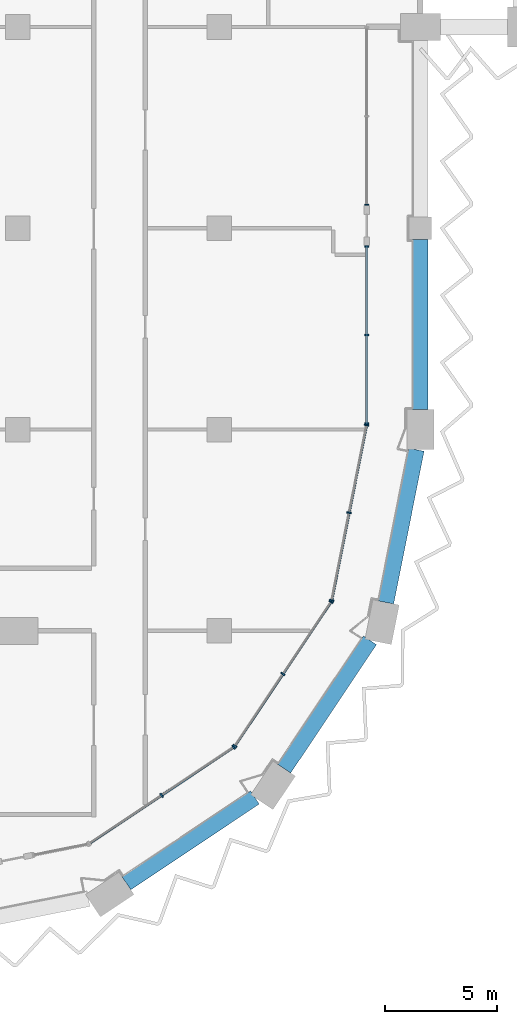
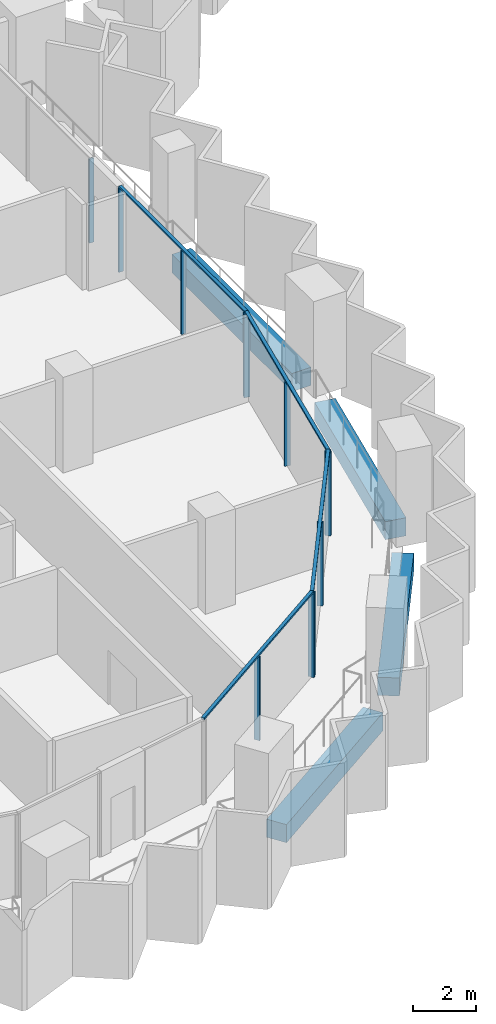
# One storey, part 3 of 17: 16 members, 4 beams, 5 elements without a shape of their own.
"""IFC4 building model written with IfcOpenShell, lengths in metres."""

import ifcopenshell
import ifcopenshell.guid

model = None  # the IFC model being written
_history = None  # IfcOwnerHistory: only IFC2X3 demands one
_inside = {}  # id of a spatial element -> (the spatial element, [elements in it])
_under = {}  # id of a project, library or spatial element -> (it, [spatial elements below it])
_declared = {}  # id of a project -> (the project, [libraries it declares])
_typed = {}  # id of a type object -> (the type object, [elements of that type])
_made_of = {}  # id of a material, layer set ... -> (it, [elements and type objects made of it])


def new_model(schema):
    """Start an empty IFC model of exactly this schema.

    Asked for "IFC4X3", IfcOpenShell would pick the latest addendum, in which some entities
    have other attributes; the version numbers below select the first issue.
    IFC2X3 requires an IfcOwnerHistory on every rooted entity: one is made here for all.
    """
    global model, _history
    if schema == "IFC4X3":
        model = ifcopenshell.file(schema_version=(4, 3, 0, 0))
    else:
        model = ifcopenshell.file(schema=schema)
    _inside.clear()
    _under.clear()
    _declared.clear()
    _typed.clear()
    _made_of.clear()
    _history = None
    if model.schema == "IFC2X3":
        org = make("IfcOrganization", Name="unknown")
        user = make(
            "IfcPersonAndOrganization",
            ThePerson=make("IfcPerson", FamilyName="unknown"),
            TheOrganization=org,
        )
        app = make(
            "IfcApplication",
            ApplicationDeveloper=org,
            Version="unknown",
            ApplicationFullName="unknown",
            ApplicationIdentifier="unknown",
        )
        _history = make(
            "IfcOwnerHistory",
            OwningUser=user,
            OwningApplication=app,
            ChangeAction="ADDED",
            CreationDate=0,
        )
    return model


def make(cls, **values):
    """One entity of the class cls with the attributes given. An attribute that is None is left unset."""
    return model.create_entity(
        cls, **{name: value for name, value in values.items() if value is not None}
    )


def rooted(cls, **values):
    """An entity with a GlobalId (a new one), such as an element, a storey or a relation."""
    return make(cls, GlobalId=ifcopenshell.guid.new(), OwnerHistory=_history, **values)


def si_unit(unit_type, name, prefix=None):
    """IfcSIUnit, for example si_unit("LENGTHUNIT", "METRE", prefix="MILLI")."""
    return make("IfcSIUnit", UnitType=unit_type, Prefix=prefix, Name=name)


def assignment(units):
    """IfcUnitAssignment: the units of a project."""
    return None if units is None else make("IfcUnitAssignment", Units=units)


def point(xyz):
    """IfcCartesianPoint."""
    return None if xyz is None else make("IfcCartesianPoint", Coordinates=xyz)


def direction(xyz):
    """IfcDirection."""
    return None if xyz is None else make("IfcDirection", DirectionRatios=xyz)


def frame(location, z_axis=None, x_axis=None):
    """IfcAxis2Placement3D, a coordinate frame: its origin and axes. An axis left out is left unset."""
    return make(
        "IfcAxis2Placement3D",
        Location=point(location),
        Axis=direction(z_axis),
        RefDirection=direction(x_axis),
    )


def frame_2d(location, x_axis=None):
    """IfcAxis2Placement2D, a coordinate frame in the plane: its origin and x axis."""
    return make(
        "IfcAxis2Placement2D", Location=point(location), RefDirection=direction(x_axis)
    )


def origin():
    """The frame at (0, 0, 0) with its axes left unset."""
    return frame((0.0, 0.0, 0.0))


def origin_2d():
    """The frame at (0, 0) in the plane with its x axis left unset."""
    return frame_2d((0.0, 0.0))


def place(relative_to, where):
    """IfcLocalPlacement: puts the frame where relative to a parent placement (None: the world)."""
    return make(
        "IfcLocalPlacement", PlacementRelTo=relative_to, RelativePlacement=where
    )


def context(
    kind, dimensions, precision=None, world=None, true_north=None, identifier=None
):
    """IfcGeometricRepresentationContext, for example the 3D "Model" context."""
    return make(
        "IfcGeometricRepresentationContext",
        ContextIdentifier=identifier,
        ContextType=kind,
        CoordinateSpaceDimension=dimensions,
        Precision=precision,
        WorldCoordinateSystem=world,
        TrueNorth=true_north,
    )


def subcontext(parent, identifier, kind, view, scale=None):
    """IfcGeometricRepresentationSubContext, for example "Body" below "Model"."""
    return make(
        "IfcGeometricRepresentationSubContext",
        ContextIdentifier=identifier,
        ContextType=kind,
        ParentContext=parent,
        TargetScale=scale,
        TargetView=view,
    )


def project(units=None, contexts=None):
    """IfcProject with its units and contexts."""
    return rooted(
        "IfcProject",
        Name="project",
        RepresentationContexts=contexts,
        UnitsInContext=assignment(units),
    )


def spatial(cls, under=None, at=None, **own):
    """A site, building, storey or space (cls), placed at a placement, below another one or the project."""
    s = rooted(cls, ObjectPlacement=at, **own)
    if under is not None:
        _under.setdefault(under.id(), (under, []))[1].append(s)
    return s


def profile(cls, at=None, kind="AREA", **sizes):
    """A parametric profile (cls). Its sizes go by their IFC names, for example OverallWidth=200.0."""
    return make(cls, ProfileType=kind, Position=at, **sizes)


def rectangle(**sizes):
    """IfcRectangleProfileDef."""
    return profile("IfcRectangleProfileDef", **sizes)


def extrude(swept, where, along, depth):
    """IfcExtrudedAreaSolid: the profile swept, set in the frame where, extruded along a direction by depth."""
    return make(
        "IfcExtrudedAreaSolid",
        SweptArea=swept,
        Position=where,
        ExtrudedDirection=direction(along),
        Depth=depth,
    )


def shape(context_of_items, identifier, shape_type, items):
    """IfcShapeRepresentation: the items that make up one representation, for example the "Body"."""
    return make(
        "IfcShapeRepresentation",
        ContextOfItems=context_of_items,
        RepresentationIdentifier=identifier,
        RepresentationType=shape_type,
        Items=items,
    )


def material(Name=None, Category=None):
    """IfcMaterial."""
    return make("IfcMaterial", Name=Name, Category=Category)


def material_profile(
    of_material, cross_section, Name=None, Category=None, Priority=None
):
    """IfcMaterialProfile: a cross section and its material."""
    return make(
        "IfcMaterialProfile",
        Name=Name,
        Material=of_material,
        Profile=cross_section,
        Priority=Priority,
        Category=Category,
    )


def profile_set(profiles, Name=None, composite=None):
    """IfcMaterialProfileSet."""
    return make(
        "IfcMaterialProfileSet",
        Name=Name,
        MaterialProfiles=profiles,
        CompositeProfile=composite,
    )


def made_of(thing, what):
    """Note that an element or type object is made of a material, layer set ...; save() writes the relation."""
    if what is not None:
        _made_of.setdefault(what.id(), (what, []))[1].append(thing)
    return thing


def type_object(cls, material=None, **own):
    """A type object (cls), such as IfcWallType, which elements share."""
    return made_of(rooted(cls, **own), material)


def element(
    cls,
    number,
    at=None,
    inside=None,
    cuts=None,
    type_object=None,
    material=None,
    context=None,
    identifier="Body",
    shape_type=None,
    held_by="IfcProductDefinitionShape",
    body=None,
    shapes=None,
    **own,
):
    """One element of the class cls, such as IfcWall. Its Tag is "e" and its number.

    at: its placement. inside: the storey or other place that contains it. cuts: it is an
    opening in that element (IfcRelVoidsElement). A single representation is given by context,
    identifier, shape_type and body (its items); several are given by shapes. held_by: the class
    of the entity that holds the representations. save() writes the other relations.
    """
    e = rooted(cls, Tag="e%d" % number, ObjectPlacement=at, **own)
    if body is not None:
        shapes = [shape(context, identifier, shape_type, body)]
    if shapes is not None:
        e.Representation = make(held_by, Representations=shapes)
    if inside is not None:
        _inside.setdefault(inside.id(), (inside, []))[1].append(e)
    if cuts is not None:
        rooted(
            "IfcRelVoidsElement", RelatingBuildingElement=cuts, RelatedOpeningElement=e
        )
    if type_object is not None:
        _typed.setdefault(type_object.id(), (type_object, []))[1].append(e)
    return made_of(e, material)


def aggregate(whole, parts):
    """IfcRelAggregates: a whole, such as a stair, and the parts it consists of."""
    return rooted("IfcRelAggregates", RelatingObject=whole, RelatedObjects=parts)


def save(model, path):
    """Write the relations noted so far, then the file.

    IfcRelAggregates (storeys below a building ...), IfcRelContainedInSpatialStructure (elements
    in a storey), IfcRelDefinesByType, IfcRelAssociatesMaterial and IfcRelDeclares: one each for
    every whole, place, type object, material and project.
    """
    for whole, parts in _under.values():
        aggregate(whole, parts)
    for where, things in _inside.values():
        rooted(
            "IfcRelContainedInSpatialStructure",
            RelatedElements=things,
            RelatingStructure=where,
        )
    for kind, things in _typed.values():
        rooted("IfcRelDefinesByType", RelatedObjects=things, RelatingType=kind)
    for what, things in _made_of.values():
        rooted("IfcRelAssociatesMaterial", RelatedObjects=things, RelatingMaterial=what)
    for by, libraries in _declared.values():
        rooted("IfcRelDeclares", RelatingContext=by, RelatedDefinitions=libraries)
    model.write(path)


model = new_model("IFC4")

# Units and contexts
model_context = context("Model", 3, precision=1e-05, world=origin(), true_north=direction((0.0, 1.0)))
body_context = subcontext(model_context, "Body", "Model", "MODEL_VIEW")
ifc_project = project(units=[si_unit("LENGTHUNIT", "METRE"), si_unit("AREAUNIT", "SQUARE_METRE"), si_unit("VOLUMEUNIT", "CUBIC_METRE"), si_unit("PLANEANGLEUNIT", "RADIAN"), si_unit("MASSUNIT", "GRAM", prefix="KILO")], contexts=[model_context])

# Site, building, storey
site_placement = place(None, origin())
site = spatial("IfcSite", under=ifc_project, at=site_placement, CompositionType="ELEMENT")
building_placement = place(site_placement, origin())
building = spatial("IfcBuilding", under=site, at=building_placement, Name="Hunhe Ridgeline Campus", CompositionType="ELEMENT")
storey_placement = place(building_placement, frame((0.0, 0.0, 208.699951171875)))
storey = spatial("IfcBuildingStorey", under=building, at=storey_placement, Name="L53", CompositionType="ELEMENT", Elevation=208.699951171875)

# Curtain wall, members
ifc_material_1 = material(Name="Aluminium 6063", Category="aluminium")
curtain_wall_type_1 = type_object("IfcCurtainWallType", Name="Curtain wall CW-1", PredefinedType="NOTDEFINED", material=ifc_material_1)
curtain_wall_1_placement = place(storey_placement, origin())
curtain_wall_1 = element("IfcCurtainWall", 1, at=curtain_wall_1_placement, inside=storey, type_object=curtain_wall_type_1, Name="Curtain wall 11", PredefinedType="NOTDEFINED")
ifc_material_profile_1 = material_profile(ifc_material_1, rectangle(XDim=0.159912109375, YDim=0.06005859375, at=origin_2d()))
ifc_profile_set_1 = profile_set([ifc_material_profile_1], Name="Aluminium 6063")
member_type_1 = type_object("IfcMemberType", Name="CW-1 aluminium mullion", PredefinedType="MULLION", material=ifc_profile_set_1)
member_1_placement = place(storey_placement, frame((42.59912109375, 36.266357421875, 0.0), z_axis=(0.0, 0.0, 1.0), x_axis=(-0.999999999978, 6.639948e-06, 0.0)))
member_1 = element("IfcMember", 2, at=member_1_placement, type_object=member_type_1, Name="CW-1 mullion 1", PredefinedType="MULLION", context=body_context, shape_type="SweptSolid", body=[
    extrude(rectangle(XDim=0.159912109375, YDim=0.06005859375, at=origin_2d()), origin(), (0.0, 0.0, 1.0), 3.239990234375),
])
member_2_placement = place(storey_placement, frame((42.59912109375, 40.2275390625, 0.0), z_axis=(0.0, 0.0, 1.0), x_axis=(-0.999999999978, 6.639948e-06, 0.0)))
member_2 = element("IfcMember", 3, at=member_2_placement, type_object=member_type_1, Name="CW-1 mullion 2", PredefinedType="MULLION", context=body_context, shape_type="SweptSolid", body=[
    extrude(rectangle(XDim=0.159912109375, YDim=0.06005859375, at=origin_2d()), origin(), (0.0, 0.0, 1.0), 3.239990234375),
])
member_3_placement = place(storey_placement, frame((42.59912109375, 44.1884765625, 0.0), z_axis=(0.0, 0.0, 1.0), x_axis=(-0.999999999978, 6.639948e-06, 0.0)))
member_3 = element("IfcMember", 4, at=member_3_placement, type_object=member_type_1, Name="CW-1 mullion 3", PredefinedType="MULLION", context=body_context, shape_type="SweptSolid", body=[
    extrude(rectangle(XDim=0.159912109375, YDim=0.06005859375, at=origin_2d()), origin(), (0.0, 0.0, 1.0), 3.239990234375),
])

# Curtain wall, member
curtain_wall_2_placement = place(storey_placement, origin())
curtain_wall_2 = element("IfcCurtainWall", 5, at=curtain_wall_2_placement, inside=storey, type_object=curtain_wall_type_1, Name="Curtain wall 12", PredefinedType="NOTDEFINED")
member_4_placement = place(storey_placement, frame((42.59912109375, 46.048583984375, 0.0), z_axis=(0.0, 0.0, 1.0), x_axis=(-0.999999999978, 6.639948e-06, 0.0)))
member_4 = element("IfcMember", 6, at=member_4_placement, type_object=member_type_1, Name="CW-1 mullion 1", PredefinedType="MULLION", context=body_context, shape_type="SweptSolid", body=[
    extrude(rectangle(XDim=0.159912109375, YDim=0.06005859375, at=origin_2d()), origin(), (0.0, 0.0, 1.0), 3.239990234375),
])
aggregate(curtain_wall_2, [member_4])

# Member
ifc_material_profile_2 = material_profile(ifc_material_1, rectangle(XDim=0.1201171875, YDim=0.06005859375, at=origin_2d()))
ifc_profile_set_2 = profile_set([ifc_material_profile_2], Name="Aluminium 6063")
member_type_2 = type_object("IfcMemberType", Name="CW-1 aluminium transom", PredefinedType="USERDEFINED", material=ifc_profile_set_2)
member_5_placement = place(storey_placement, frame((42.59912109375, 36.236572265625, 3.27001953125), z_axis=(0.0, 1.0, 0.0), x_axis=(-1.0, 0.0, 0.0)))
member_5 = element("IfcMember", 7, at=member_5_placement, type_object=member_type_2, Name="CW-1 transom 1", ObjectType="TRANSOM", PredefinedType="USERDEFINED", context=body_context, shape_type="SweptSolid", body=[
    extrude(rectangle(XDim=0.1201171875, YDim=0.06005859375, at=origin_2d()), origin(), (0.0, 0.0, 1.0), 7.98193359375),
])

aggregate(curtain_wall_1, [member_5, member_1, member_2, member_3])

# Curtain wall, members
curtain_wall_type_2 = type_object("IfcCurtainWallType", Name="Curtain wall CW-5", PredefinedType="NOTDEFINED", material=ifc_material_1)
curtain_wall_3_placement = place(storey_placement, origin())
curtain_wall_3 = element("IfcCurtainWall", 8, at=curtain_wall_3_placement, inside=storey, type_object=curtain_wall_type_2, Name="Curtain wall 08", PredefinedType="NOTDEFINED")
ifc_material_profile_3 = material_profile(ifc_material_1, rectangle(XDim=0.199951171875, YDim=0.070068359375, at=origin_2d()))
ifc_profile_set_3 = profile_set([ifc_material_profile_3], Name="Aluminium 6063")
member_type_3 = type_object("IfcMemberType", Name="CW-5 aluminium mullion", PredefinedType="MULLION", material=ifc_profile_set_3)
member_6_placement = place(storey_placement, frame((33.42626953125, 19.647705078125, 0.0), z_axis=(0.0, 0.0, 1.0), x_axis=(-0.555570274596, 0.831469584522, 0.0)))
member_6 = element("IfcMember", 9, at=member_6_placement, type_object=member_type_3, Name="CW-5 mullion 2", PredefinedType="MULLION", context=body_context, shape_type="SweptSolid", body=[
    extrude(rectangle(XDim=0.199951171875, YDim=0.070068359375, at=origin_2d()), origin(), (0.0, 0.0, 1.0), 3.22998046875),
])
member_7_placement = place(storey_placement, frame((36.649658203125, 21.8017578125, 0.0), z_axis=(0.0, 0.0, 1.0), x_axis=(-0.555570274596, 0.831469584522, 0.0)))
member_7 = element("IfcMember", 10, at=member_7_placement, type_object=member_type_3, Name="CW-5 mullion 3", PredefinedType="MULLION", context=body_context, shape_type="SweptSolid", body=[
    extrude(rectangle(XDim=0.199951171875, YDim=0.070068359375, at=origin_2d()), origin(), (0.0, 0.0, 1.0), 3.22998046875),
])

curtain_wall_4_placement = place(storey_placement, origin())
curtain_wall_4 = element("IfcCurtainWall", 11, at=curtain_wall_4_placement, inside=storey, type_object=curtain_wall_type_2, Name="Curtain wall 09", PredefinedType="NOTDEFINED")
member_8_placement = place(storey_placement, frame((36.6982421875, 21.850341796875, 0.0), z_axis=(0.0, 0.0, 1.0), x_axis=(-0.831469584522, 0.555570274596, 0.0)))
member_8 = element("IfcMember", 12, at=member_8_placement, type_object=member_type_3, Name="CW-5 mullion 1", PredefinedType="MULLION", context=body_context, shape_type="SweptSolid", body=[
    extrude(rectangle(XDim=0.199951171875, YDim=0.070068359375, at=origin_2d()), origin(), (0.0, 0.0, 1.0), 3.22998046875),
])
member_9_placement = place(storey_placement, frame((38.852294921875, 25.07373046875, 0.0), z_axis=(0.0, 0.0, 1.0), x_axis=(-0.831469584522, 0.555570274596, 0.0)))
member_9 = element("IfcMember", 13, at=member_9_placement, type_object=member_type_3, Name="CW-5 mullion 2", PredefinedType="MULLION", context=body_context, shape_type="SweptSolid", body=[
    extrude(rectangle(XDim=0.199951171875, YDim=0.070068359375, at=origin_2d()), origin(), (0.0, 0.0, 1.0), 3.22998046875),
])
member_10_placement = place(storey_placement, frame((41.006103515625, 28.29736328125, 0.0), z_axis=(0.0, 0.0, 1.0), x_axis=(-0.831469584522, 0.555570274596, 0.0)))
member_10 = element("IfcMember", 14, at=member_10_placement, type_object=member_type_3, Name="CW-5 mullion 3", PredefinedType="MULLION", context=body_context, shape_type="SweptSolid", body=[
    extrude(rectangle(XDim=0.199951171875, YDim=0.070068359375, at=origin_2d()), origin(), (0.0, 0.0, 1.0), 3.22998046875),
])

curtain_wall_5_placement = place(storey_placement, origin())
curtain_wall_5 = element("IfcCurtainWall", 15, at=curtain_wall_5_placement, inside=storey, type_object=curtain_wall_type_2, Name="Curtain wall 10", PredefinedType="NOTDEFINED")
member_11_placement = place(storey_placement, frame((41.032470703125, 28.36083984375, 0.0), z_axis=(0.0, 0.0, 1.0), x_axis=(-0.980785284939, 0.195090299215, 0.0)))
member_11 = element("IfcMember", 16, at=member_11_placement, type_object=member_type_3, Name="CW-5 mullion 1", PredefinedType="MULLION", context=body_context, shape_type="SweptSolid", body=[
    extrude(rectangle(XDim=0.199951171875, YDim=0.070068359375, at=origin_2d()), origin(), (0.0, 0.0, 1.0), 3.22998046875),
])
member_12_placement = place(storey_placement, frame((41.812255859375, 32.281494140625, 0.0), z_axis=(0.0, 0.0, 1.0), x_axis=(-0.980785284939, 0.195090299215, 0.0)))
member_12 = element("IfcMember", 17, at=member_12_placement, type_object=member_type_3, Name="CW-5 mullion 2", PredefinedType="MULLION", context=body_context, shape_type="SweptSolid", body=[
    extrude(rectangle(XDim=0.199951171875, YDim=0.070068359375, at=origin_2d()), origin(), (0.0, 0.0, 1.0), 3.22998046875),
])
member_13_placement = place(storey_placement, frame((42.59228515625, 36.2021484375, 0.0), z_axis=(0.0, 0.0, 1.0), x_axis=(-0.980785284939, 0.195090299215, 0.0)))
member_13 = element("IfcMember", 18, at=member_13_placement, type_object=member_type_3, Name="CW-5 mullion 3", PredefinedType="MULLION", context=body_context, shape_type="SweptSolid", body=[
    extrude(rectangle(XDim=0.199951171875, YDim=0.070068359375, at=origin_2d()), origin(), (0.0, 0.0, 1.0), 3.22998046875),
])

# Member
ifc_material_profile_4 = material_profile(ifc_material_1, rectangle(XDim=0.1201171875, YDim=0.070068359375, at=origin_2d()))
ifc_profile_set_4 = profile_set([ifc_material_profile_4], Name="Aluminium 6063")
member_type_4 = type_object("IfcMemberType", Name="CW-5 aluminium transom", PredefinedType="USERDEFINED", material=ifc_profile_set_4)
member_14_placement = place(storey_placement, frame((30.173583984375, 17.474365234375, 3.26513671875), z_axis=(0.831473763475, 0.5555640203, 0.0), x_axis=(-0.5555640203, 0.831473763475, 0.0)))
member_14 = element("IfcMember", 19, at=member_14_placement, type_object=member_type_4, Name="CW-5 transom 1", ObjectType="TRANSOM", PredefinedType="USERDEFINED", context=body_context, shape_type="SweptSolid", body=[
    extrude(rectangle(XDim=0.1201171875, YDim=0.070068359375, at=origin_2d()), origin(), (0.0, 0.0, 1.0), 7.823974609375),
])

aggregate(curtain_wall_3, [member_14, member_6, member_7])

member_15_placement = place(storey_placement, frame((36.678955078125, 21.821044921875, 3.26513671875), z_axis=(0.5555640203, 0.831473763475, 0.0), x_axis=(-0.831473763475, 0.5555640203, 0.0)))
member_15 = element("IfcMember", 20, at=member_15_placement, type_object=member_type_4, Name="CW-5 transom 1", ObjectType="TRANSOM", PredefinedType="USERDEFINED", context=body_context, shape_type="SweptSolid", body=[
    extrude(rectangle(XDim=0.1201171875, YDim=0.070068359375, at=origin_2d()), origin(), (0.0, 0.0, 1.0), 7.823974609375),
])

aggregate(curtain_wall_4, [member_15, member_8, member_9, member_10])

member_16_placement = place(storey_placement, frame((41.025634765625, 28.326416015625, 3.26513671875), z_axis=(0.195097290093, 0.980783894341, 0.0), x_axis=(-0.980783894341, 0.195097290093, 0.0)))
member_16 = element("IfcMember", 21, at=member_16_placement, type_object=member_type_4, Name="CW-5 transom 1", ObjectType="TRANSOM", PredefinedType="USERDEFINED", context=body_context, shape_type="SweptSolid", body=[
    extrude(rectangle(XDim=0.1201171875, YDim=0.070068359375, at=origin_2d()), origin(), (0.0, 0.0, 1.0), 8.065185546875),
])

aggregate(curtain_wall_5, [member_16, member_11, member_12, member_13])

# Beams
ifc_material_2 = material(Name="Concrete C50", Category="concrete")
ifc_material_profile_5 = material_profile(ifc_material_2, rectangle(XDim=0.699951171875, YDim=0.699951171875, at=origin_2d()))
ifc_profile_set_5 = profile_set([ifc_material_profile_5], Name="Concrete C50")
beam_type = type_object("IfcBeamType", Name="RC spandrel beam 700x700 Concrete C50", PredefinedType="SPANDREL", material=ifc_profile_set_5)
for number, where, z_axis, x_axis, name in (
    (22, (31.858642578125, 15.712646484375, -0.599853515625), (0.831467796868, 0.55557295, 0.0), (-0.55557295, 0.831467796868, 0.0), "Spandrel beam B3-6 L53"),
    (23, (38.909912109375, 20.83837890625, -0.599853515625), (0.55557295, 0.831467796868, 0.0), (-0.831467796868, 0.55557295, 0.0), "Spandrel beam B3-7 L53"),
):
    element("IfcBeam", number, at=place(storey_placement, frame(where, z_axis=z_axis, x_axis=x_axis)), inside=storey, type_object=beam_type, Name=name, PredefinedType="SPANDREL", context=body_context, shape_type="SweptSolid", body=[
        extrude(rectangle(XDim=0.699951171875, YDim=0.699951171875, at=origin_2d()), origin(), (0.0, 0.0, 1.0), 6.905029296875),
    ])
beam_1_placement = place(storey_placement, frame((43.462890625, 28.272216796875, -0.599853515625), z_axis=(0.195090923217, 0.980785160817, 0.0), x_axis=(-0.980785160817, 0.195090923217, 0.0)))
element("IfcBeam", 24, at=beam_1_placement, inside=storey, type_object=beam_type, Name="Spandrel beam B3-8 L53", PredefinedType="SPANDREL", context=body_context, shape_type="SweptSolid", body=[
    extrude(rectangle(XDim=0.699951171875, YDim=0.699951171875, at=origin_2d()), origin(), (0.0, 0.0, 1.0), 6.961669921875),
])
beam_2_placement = place(storey_placement, frame((45.0, 36.89990234375, -0.599853515625), z_axis=(0.0, 1.0, 0.0), x_axis=(-1.0, 0.0, 0.0)))
element("IfcBeam", 25, at=beam_2_placement, inside=storey, type_object=beam_type, Name="Spandrel beam B3-9 L53", PredefinedType="SPANDREL", context=body_context, shape_type="SweptSolid", body=[
    extrude(rectangle(XDim=0.699951171875, YDim=0.699951171875, at=origin_2d()), origin(), (0.0, 0.0, 1.0), 7.60009765625),
])

save(model, "model.ifc")
